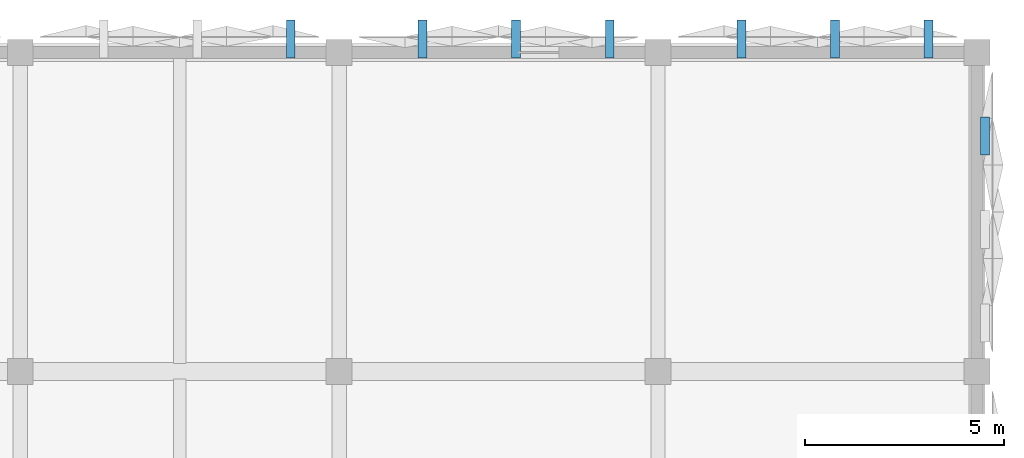
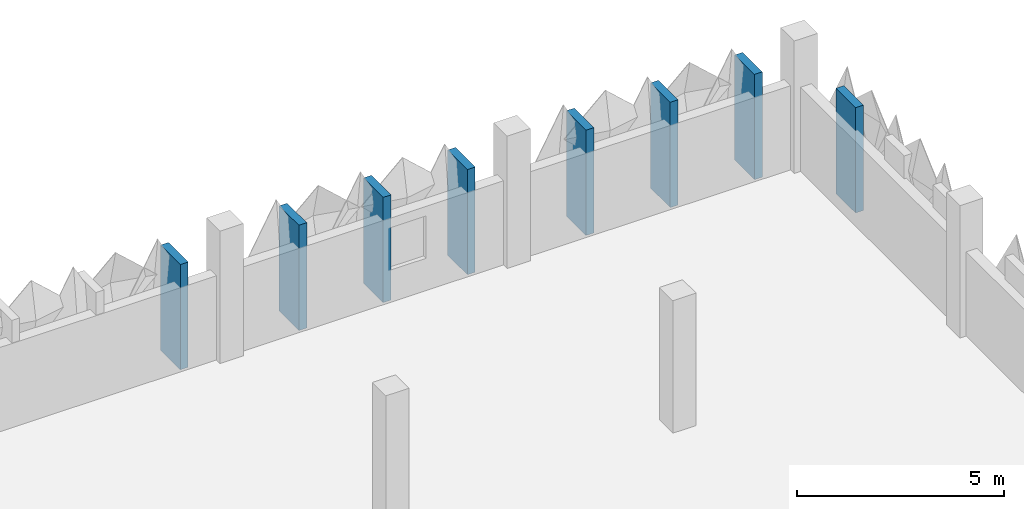
# One storey, part 61 of 96: 8 discrete accessories.
"""IFC4 building model written with IfcOpenShell, lengths in metres."""

from ifc_helpers import new_model, si_unit, derived_unit, direction, frame, origin, origin_2d, place, context, subcontext, project, spatial, rectangle, extrude, material, type_object, element, save


model = new_model("IFC4")

# Units and contexts
model_context = context("Model", 3, precision=1e-05, world=origin(), true_north=direction((0.0, 1.0)))
body_context = subcontext(model_context, "Body", "Model", "MODEL_VIEW")
ifc_project = project(units=[si_unit("LENGTHUNIT", "METRE"), si_unit("AREAUNIT", "SQUARE_METRE"), si_unit("VOLUMEUNIT", "CUBIC_METRE"), si_unit("PLANEANGLEUNIT", "RADIAN"), si_unit("MASSUNIT", "GRAM", prefix="KILO"), si_unit("THERMODYNAMICTEMPERATUREUNIT", "KELVIN"), derived_unit("THERMALTRANSMITTANCEUNIT", [(si_unit("POWERUNIT", "WATT"), 1), (si_unit("AREAUNIT", "SQUARE_METRE"), -1), (si_unit("THERMODYNAMICTEMPERATUREUNIT", "KELVIN"), -1)])], contexts=[model_context])

# Site, building, storey
site_placement = place(None, origin())
site = spatial("IfcSite", under=ifc_project, at=site_placement, CompositionType="ELEMENT")
building_placement = place(site_placement, origin())
building = spatial("IfcBuilding", under=site, at=building_placement, Name="Haiyu Intermodal Mobility Hub", CompositionType="ELEMENT")
storey_placement = place(building_placement, frame((0.0, 0.0, 9.5)))
storey = spatial("IfcBuildingStorey", under=building, at=storey_placement, Name="L02", CompositionType="ELEMENT", Elevation=9.5)

# Discrete accessories
ifc_material = material(Name="Steel Q355C", Category="steel")
discrete_accessory_type = type_object("IfcDiscreteAccessoryType", Name="ACC-BK02", PredefinedType="BRACKET", material=ifc_material)
for number, where, z_axis, x_axis, name in (
    (1, (210.199951171875, 145.906982421875, 0.050048828125), (0.0, 0.0, 1.0), (1.0, 0.0, 0.0), "BRK-PYR-1154"),
    (2, (192.787109375, 148.340087890625, 0.050048828125), (0.0, 0.0, 1.0), (1.0, 0.0, 0.0), "BRK-PYR-1171"),
    (3, (200.787109375, 148.340087890625, 0.050048828125), (0.0, 0.0, 1.0), (1.0, 0.0, 0.0), "BRK-PYR-1178"),
    (4, (198.43994140625, 148.340087890625, 0.050048828125), (0.0, 0.0, 1.0), (1.0, 0.0, 0.0), "BRK-PYR-1181"),
    (5, (196.093017578125, 148.340087890625, 0.050048828125), (0.0, 0.0, 1.0), (1.0, 0.0, 0.0), "BRK-PYR-1182"),
    (6, (208.787109375, 148.340087890625, 0.050048828125), (0.0, 0.0, 1.0), (1.0, 0.0, 0.0), "BRK-PYR-1185"),
    (7, (206.43994140625, 148.340087890625, 0.050048828125), (0.0, 0.0, 1.0), (1.0, 0.0, 0.0), "BRK-PYR-1188"),
    (8, (204.093017578125, 148.340087890625, 0.050048828125), (0.0, 0.0, 1.0), (1.0, 0.0, 0.0), "BRK-PYR-1189"),
):
    element("IfcDiscreteAccessory", number, at=place(storey_placement, frame(where, z_axis=z_axis, x_axis=x_axis)), inside=storey, type_object=discrete_accessory_type, Name=name, PredefinedType="BRACKET", context=body_context, shape_type="SweptSolid", body=[
        extrude(rectangle(XDim=0.219970703125, YDim=0.949951171875, at=origin_2d()), origin(), (0.0, 0.0, 1.0), 3.10009765625),
    ])

save(model, "model.ifc")
